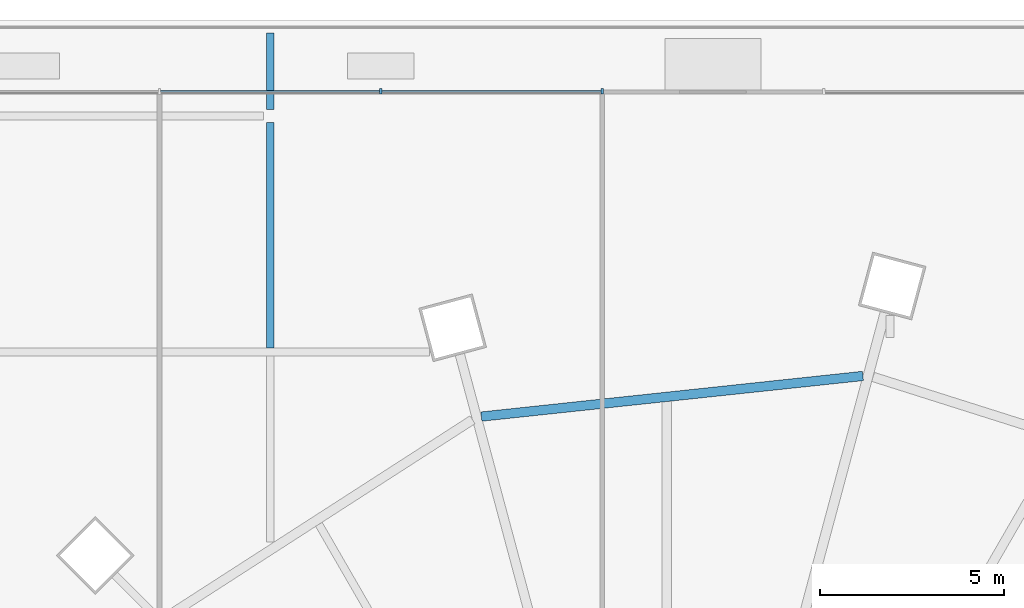
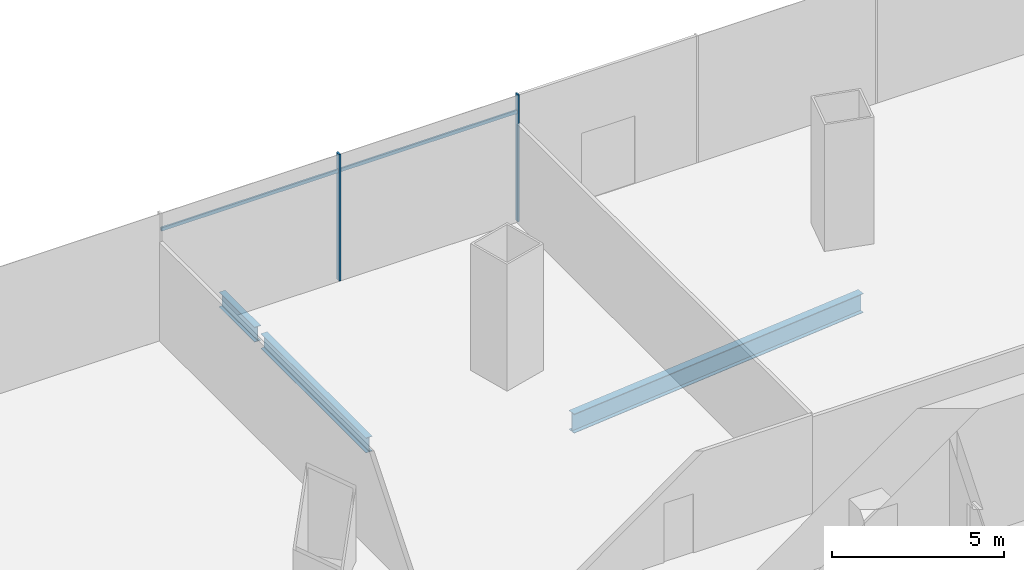
# One storey, part 28 of 52: 4 members, 3 beams, 1 element without a shape of its own.
"""IFC4 building model written with IfcOpenShell, lengths in metres."""

from ifc_helpers import new_model, si_unit, direction, frame, origin, origin_2d, place, context, subcontext, project, spatial, rectangle, i_section, extrude, material, material_profile, profile_set, type_object, element, aggregate, save


model = new_model("IFC4")

# Units and contexts
model_context = context("Model", 3, precision=1e-05, world=origin(), true_north=direction((0.0, 1.0)))
body_context = subcontext(model_context, "Body", "Model", "MODEL_VIEW")
ifc_project = project(units=[si_unit("LENGTHUNIT", "METRE"), si_unit("AREAUNIT", "SQUARE_METRE"), si_unit("VOLUMEUNIT", "CUBIC_METRE"), si_unit("PLANEANGLEUNIT", "RADIAN"), si_unit("MASSUNIT", "GRAM", prefix="KILO")], contexts=[model_context])

# Site, building, storey
site_placement = place(None, origin())
site = spatial("IfcSite", under=ifc_project, at=site_placement, CompositionType="ELEMENT")
building_placement = place(site_placement, origin())
building = spatial("IfcBuilding", under=site, at=building_placement, Name="Rimbun Link Towers", CompositionType="ELEMENT")
storey_placement = place(building_placement, frame((0.0, 0.0, 21.0)))
storey = spatial("IfcBuildingStorey", under=building, at=storey_placement, Name="L04", CompositionType="ELEMENT", Elevation=21.0)

# Curtain wall, members
ifc_material_1 = material(Name="Aluminium 6063-T6 and low-iron glass", Category="aluminium")
curtain_wall_type = type_object("IfcCurtainWallType", Name="CW3 podium shopfront", PredefinedType="NOTDEFINED", material=ifc_material_1)
curtain_wall_placement = place(storey_placement, origin())
curtain_wall = element("IfcCurtainWall", 1, at=curtain_wall_placement, inside=storey, type_object=curtain_wall_type, Name="CW3 L04 PD", PredefinedType="NOTDEFINED")
ifc_material_2 = material(Name="Aluminium 6063-T6", Category="aluminium")
ifc_material_profile_1 = material_profile(ifc_material_2, rectangle(XDim=0.14990234375, YDim=0.06005859375, at=origin_2d()), Name="MULLION 60X150")
ifc_profile_set_1 = profile_set([ifc_material_profile_1], Name="Aluminium 6063-T6")
member_type_1 = type_object("IfcMemberType", Name="CW3 mullion 60X150", PredefinedType="MULLION", material=ifc_profile_set_1)
member_1_placement = place(storey_placement, frame((30.0, 28.074951171875, 0.0), z_axis=(0.0, 0.0, 1.0), x_axis=(0.0, 1.0, 0.0)))
member_1 = element("IfcMember", 2, at=member_1_placement, type_object=member_type_1, Name="CW3 mullion", PredefinedType="MULLION", context=body_context, shape_type="SweptSolid", body=[
    extrude(rectangle(XDim=0.14990234375, YDim=0.06005859375, at=origin_2d()), origin(), (0.0, 0.0, 1.0), 4.5),
])
member_2_placement = place(storey_placement, frame((24.0, 28.074951171875, 0.0), z_axis=(0.0, 0.0, 1.0), x_axis=(0.0, 1.0, 0.0)))
member_2 = element("IfcMember", 3, at=member_2_placement, type_object=member_type_1, Name="CW3 mullion", PredefinedType="MULLION", context=body_context, shape_type="SweptSolid", body=[
    extrude(rectangle(XDim=0.14990234375, YDim=0.06005859375, at=origin_2d()), origin(), (0.0, 0.0, 1.0), 4.5),
])
ifc_material_3 = material(Name="Aluminium 6063-T6", Category="aluminium")
ifc_material_profile_2 = material_profile(ifc_material_3, rectangle(XDim=0.06005859375, YDim=0.1201171875, at=origin_2d()), Name="TRANSOM 60X120")
ifc_profile_set_2 = profile_set([ifc_material_profile_2], Name="Aluminium 6063-T6")
member_type_2 = type_object("IfcMemberType", Name="CW3 transom 60X120", PredefinedType="USERDEFINED", material=ifc_profile_set_2)
member_3_placement = place(storey_placement, frame((24.030029296875, 28.053955078125, 3.89990234375), z_axis=(1.0, 0.0, 0.0), x_axis=(0.0, 1.0, 0.0)))
member_3 = element("IfcMember", 4, at=member_3_placement, type_object=member_type_2, Name="CW3 transom", ObjectType="TRANSOM", PredefinedType="USERDEFINED", context=body_context, shape_type="SweptSolid", body=[
    extrude(rectangle(XDim=0.06005859375, YDim=0.1201171875, at=origin_2d()), origin(), (0.0, 0.0, 1.0), 5.93994140625),
])
member_4_placement = place(storey_placement, frame((18.030029296875, 28.053955078125, 3.89990234375), z_axis=(1.0, 0.0, 0.0), x_axis=(0.0, 1.0, 0.0)))
member_4 = element("IfcMember", 5, at=member_4_placement, type_object=member_type_2, Name="CW3 transom", ObjectType="TRANSOM", PredefinedType="USERDEFINED", context=body_context, shape_type="SweptSolid", body=[
    extrude(rectangle(XDim=0.06005859375, YDim=0.1201171875, at=origin_2d()), origin(), (0.0, 0.0, 1.0), 5.93994140625),
])
aggregate(curtain_wall, [member_1, member_2, member_3, member_4])

# Beams
ifc_material_4 = material(Name="Steel S355J2", Category="steel")
ifc_material_profile_3 = material_profile(ifc_material_4, i_section(OverallWidth=0.209228515625, OverallDepth=0.533203125, WebThickness=0.010009765625, FlangeThickness=0.015625, at=origin_2d()), Name="UB 533x210x92")
ifc_profile_set_3 = profile_set([ifc_material_profile_3], Name="Steel S355J2")
beam_type_1 = type_object("IfcBeamType", Name="UB 533x210x92", PredefinedType="BEAM", material=ifc_profile_set_3)
beam_1_placement = place(storey_placement, frame((21.0, 21.1044921875, -0.56640625), z_axis=(0.0, 1.0, 0.0), x_axis=(-1.0, 0.0, 0.0)))
element("IfcBeam", 6, at=beam_1_placement, inside=storey, type_object=beam_type_1, Name="Grid beam L04 +21.0", PredefinedType="BEAM", context=body_context, shape_type="SweptSolid", body=[
    extrude(i_section(OverallWidth=0.209228515625, OverallDepth=0.533203125, WebThickness=0.010009765625, FlangeThickness=0.015625, at=origin_2d()), origin(), (0.0, 0.0, 1.0), 6.114501953125),
])
beam_2_placement = place(storey_placement, frame((21.0, 27.5810546875, -0.56640625), z_axis=(0.0, 1.0, 0.0), x_axis=(-1.0, 0.0, 0.0)))
element("IfcBeam", 7, at=beam_2_placement, inside=storey, type_object=beam_type_1, Name="Grid beam L04 +21.0", PredefinedType="BEAM", context=body_context, shape_type="SweptSolid", body=[
    extrude(i_section(OverallWidth=0.209228515625, OverallDepth=0.533203125, WebThickness=0.010009765625, FlangeThickness=0.015625, at=origin_2d()), origin(), (0.0, 0.0, 1.0), 2.06787109375),
])
ifc_material_5 = material(Name="Steel S355J2", Category="steel")
ifc_material_profile_4 = material_profile(ifc_material_5, i_section(OverallWidth=0.253662109375, OverallDepth=0.68359375, WebThickness=0.012451171875, FlangeThickness=0.01904296875, at=origin_2d()), Name="UB 686x254x140")
ifc_profile_set_4 = profile_set([ifc_material_profile_4], Name="Steel S355J2")
beam_type_2 = type_object("IfcBeamType", Name="UB 686x254x140", PredefinedType="BEAM", material=ifc_profile_set_4)
beam_3_placement = place(storey_placement, frame((37.064697265625, 20.353271484375, -0.641845703125), z_axis=(-0.994376453373, -0.105903111275, 0.0), x_axis=(0.105903111275, -0.994376453373, 0.0)))
element("IfcBeam", 8, at=beam_3_placement, inside=storey, type_object=beam_type_2, Name="Edge beam T2 L04 02-04", PredefinedType="BEAM", context=body_context, shape_type="SweptSolid", body=[
    extrude(i_section(OverallWidth=0.253662109375, OverallDepth=0.68359375, WebThickness=0.012451171875, FlangeThickness=0.01904296875, at=origin_2d()), origin(), (0.0, 0.0, 1.0), 10.3994140625),
])

save(model, "model.ifc")
